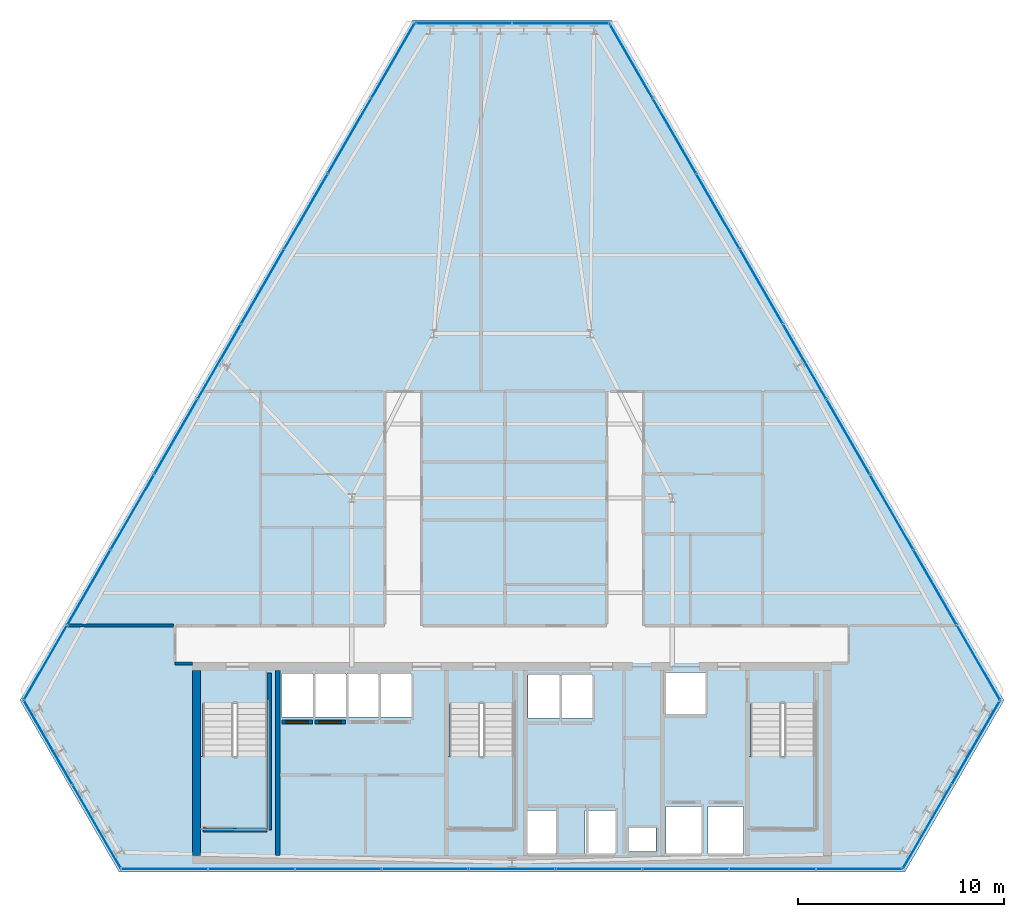
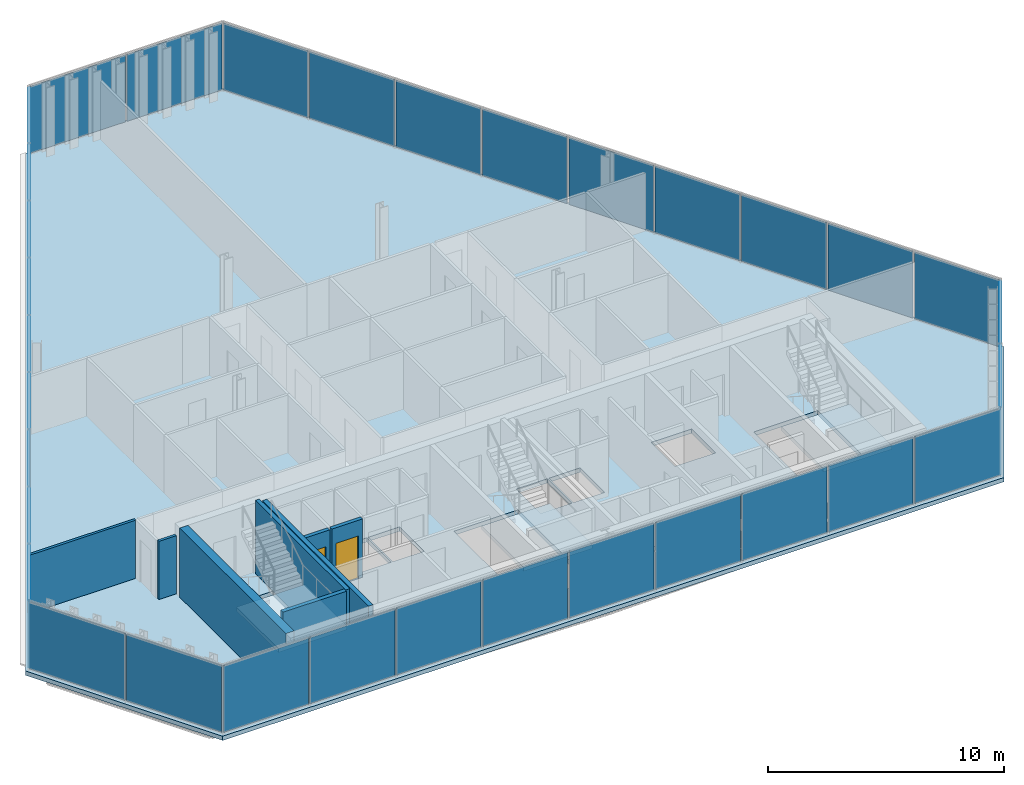
# One storey, part 26 of 33: 33 plates, 8 walls, 4 slabs, 2 doors, 2 openings, 9 elements without a shape of their own.
"""IFC4 building model written with IfcOpenShell, lengths in metres."""

from ifc_helpers import new_model, si_unit, direction, frame, frame_2d, origin, origin_2d, place, context, subcontext, project, spatial, polyline, rectangle, outline, extrude, material, layer, layer_set, type_object, element, fill, aggregate, save


model = new_model("IFC4")

# Units and contexts
model_context = context("Model", 3, precision=1e-05, world=origin(), true_north=direction((0.0, 1.0)))
body_context = subcontext(model_context, "Body", "Model", "MODEL_VIEW")
ifc_project = project(units=[si_unit("LENGTHUNIT", "METRE"), si_unit("AREAUNIT", "SQUARE_METRE"), si_unit("VOLUMEUNIT", "CUBIC_METRE"), si_unit("PLANEANGLEUNIT", "RADIAN"), si_unit("MASSUNIT", "GRAM", prefix="KILO")], contexts=[model_context])

# Site, building, storey
site_placement = place(None, origin())
site = spatial("IfcSite", under=ifc_project, at=site_placement, CompositionType="ELEMENT")
building_placement = place(site_placement, origin())
building = spatial("IfcBuilding", under=site, at=building_placement, Name="Ndaravel Arena Tower", CompositionType="ELEMENT")
storey_placement = place(building_placement, frame((0.0, 0.0, 184.0)))
storey = spatial("IfcBuildingStorey", under=building, at=storey_placement, Name="L44", CompositionType="ELEMENT", Elevation=184.0)

# Curtain wall, plate
ifc_material_1 = material(Name="Aluminium", Category="aluminium")
ifc_layer_1 = layer(ifc_material_1, 0.179931640625)
ifc_layer_set_1 = layer_set([ifc_layer_1], Name="Aluminium")
curtain_wall_type_1 = type_object("IfcCurtainWallType", Name="CW-SYS-01", PredefinedType="NOTDEFINED", material=ifc_layer_set_1)
curtain_wall_1_placement = place(storey_placement, origin())
curtain_wall_1 = element("IfcCurtainWall", 1, at=curtain_wall_1_placement, inside=storey, type_object=curtain_wall_type_1, Name="L44 Faceted Crystal Curtain Wall CW-L44-E02", PredefinedType="NOTDEFINED")
ifc_material_2 = material(Name="Glazing", Category="glass")
ifc_layer_2 = layer(ifc_material_2, 0.035888671875)
ifc_layer_set_2 = layer_set([ifc_layer_2], Name="Glazing")
plate_type_1 = type_object("IfcPlateType", Name="PLT-CW-OPVENT", PredefinedType="CURTAIN_PANEL", material=ifc_layer_set_2)
plate_1_placement = place(storey_placement, frame((64.564208984375, 11.3095703125, 0.06005859375), z_axis=(0.0, 0.0, 1.0), x_axis=(0.5, 0.866025403784, 0.0)))
plate_1 = element("IfcPlate", 2, at=plate_1_placement, type_object=plate_type_1, Name="CW-L44-E02 Operable Vent Sash Panel 02", PredefinedType="CURTAIN_PANEL", context=body_context, shape_type="SweptSolid", body=[
    extrude(rectangle(XDim=4.65380859375, YDim=0.035888671875, at=origin_2d()), origin(), (0.0, 0.0, 1.0), 3.4599609375),
])

curtain_wall_2_placement = place(storey_placement, origin())
curtain_wall_2 = element("IfcCurtainWall", 3, at=curtain_wall_2_placement, inside=storey, type_object=curtain_wall_type_1, Name="L44 Faceted Crystal Curtain Wall CW-L44-E04", PredefinedType="NOTDEFINED")
plate_2_placement = place(storey_placement, frame((39.633056640625, 46.29248046875, 0.06005859375), z_axis=(0.0, 0.0, 1.0), x_axis=(-1.0, 0.0, 0.0)))
plate_2 = element("IfcPlate", 4, at=plate_2_placement, type_object=plate_type_1, Name="CW-L44-E04 Operable Vent Sash Panel 02", PredefinedType="CURTAIN_PANEL", context=body_context, shape_type="SweptSolid", body=[
    extrude(rectangle(XDim=4.65380859375, YDim=0.035888671875, at=origin_2d()), origin(), (0.0, 0.0, 1.0), 3.4599609375),
])

ifc_material_3 = material(Name="Aluminium", Category="aluminium")
ifc_layer_3 = layer(ifc_material_3, 0.179931640625)
ifc_layer_set_3 = layer_set([ifc_layer_3], Name="Aluminium")
curtain_wall_type_2 = type_object("IfcCurtainWallType", Name="CW-SYS-02", PredefinedType="NOTDEFINED", material=ifc_layer_set_3)
curtain_wall_3_placement = place(storey_placement, origin())
curtain_wall_3 = element("IfcCurtainWall", 5, at=curtain_wall_3_placement, inside=storey, type_object=curtain_wall_type_2, Name="L44 Faceted Crystal Curtain Wall CW-L44-E06", PredefinedType="NOTDEFINED")
plate_3_placement = place(storey_placement, frame((21.802490234375, 7.2099609375, 0.06005859375), z_axis=(0.0, 0.0, 1.0), x_axis=(0.5, -0.866025403784, 0.0)))
plate_3 = element("IfcPlate", 6, at=plate_3_placement, type_object=plate_type_1, Name="CW-L44-E06 Operable Vent Sash Panel 02", PredefinedType="CURTAIN_PANEL", context=body_context, shape_type="SweptSolid", body=[
    extrude(rectangle(XDim=4.65380859375, YDim=0.035888671875, at=origin_2d()), origin(), (0.0, 0.0, 1.0), 3.4599609375),
])

# Plate
ifc_material_4 = material(Name="Glazing", Category="glass")
ifc_layer_4 = layer(ifc_material_4, 0.031982421875)
ifc_layer_set_4 = layer_set([ifc_layer_4], Name="Glazing")
plate_type_2 = type_object("IfcPlateType", Name="PLT-GLZ-FRIT35", PredefinedType="CURTAIN_PANEL", material=ifc_layer_set_4)
plate_4_placement = place(storey_placement, frame((62.197509765625, 7.2099609375, 0.06005859375), z_axis=(0.0, 0.0, 1.0), x_axis=(0.5, 0.866025403784, 0.0)))
plate_4 = element("IfcPlate", 7, at=plate_4_placement, type_object=plate_type_2, Name="CW-L44-E02 Vision Glass Panel 01", PredefinedType="CURTAIN_PANEL", context=body_context, shape_type="SweptSolid", body=[
    extrude(rectangle(XDim=4.65380859375, YDim=0.035888671875, at=origin_2d()), origin(), (0.0, 0.0, 1.0), 3.4599609375),
])

aggregate(curtain_wall_1, [plate_4, plate_1])

plate_5_placement = place(storey_placement, frame((44.366943359375, 46.29248046875, 0.06005859375), z_axis=(0.0, 0.0, 1.0), x_axis=(-1.0, 0.0, 0.0)))
plate_5 = element("IfcPlate", 8, at=plate_5_placement, type_object=plate_type_2, Name="CW-L44-E04 Vision Glass Panel 01", PredefinedType="CURTAIN_PANEL", context=body_context, shape_type="SweptSolid", body=[
    extrude(rectangle(XDim=4.65380859375, YDim=0.035888671875, at=origin_2d()), origin(), (0.0, 0.0, 1.0), 3.4599609375),
])

aggregate(curtain_wall_2, [plate_5, plate_2])

ifc_material_5 = material(Name="Glazing", Category="glass")
ifc_layer_5 = layer(ifc_material_5, 0.035888671875)
ifc_layer_set_5 = layer_set([ifc_layer_5], Name="Glazing")
plate_type_3 = type_object("IfcPlateType", Name="PLT-GLZ-FRIT55", PredefinedType="CURTAIN_PANEL", material=ifc_layer_set_5)
plate_6_placement = place(storey_placement, frame((19.435791015625, 11.3095703125, 0.06005859375), z_axis=(0.0, 0.0, 1.0), x_axis=(0.5, -0.866025403784, 0.0)))
plate_6 = element("IfcPlate", 9, at=plate_6_placement, type_object=plate_type_3, Name="CW-L44-E06 Vision Glass Panel 01", PredefinedType="CURTAIN_PANEL", context=body_context, shape_type="SweptSolid", body=[
    extrude(rectangle(XDim=4.65380859375, YDim=0.035888671875, at=origin_2d()), origin(), (0.0, 0.0, 1.0), 3.4599609375),
])

aggregate(curtain_wall_3, [plate_6, plate_3])

# Curtain wall, plates
ifc_material_6 = material(Name="Aluminium", Category="aluminium")
ifc_layer_6 = layer(ifc_material_6, 0.179931640625)
ifc_layer_set_6 = layer_set([ifc_layer_6], Name="Aluminium")
curtain_wall_type_3 = type_object("IfcCurtainWallType", Name="CW-SYS-03", PredefinedType="NOTDEFINED", material=ifc_layer_set_6)
curtain_wall_4_placement = place(storey_placement, origin())
curtain_wall_4 = element("IfcCurtainWall", 10, at=curtain_wall_4_placement, inside=storey, type_object=curtain_wall_type_3, Name="L44 Faceted Crystal Curtain Wall CW-L44-E01", PredefinedType="NOTDEFINED")
ifc_material_7 = material(Name="Glazing", Category="glass")
ifc_layer_7 = layer(ifc_material_7, 0.0400390625)
ifc_layer_set_7 = layer_set([ifc_layer_7], Name="Glazing")
plate_type_4 = type_object("IfcPlateType", Name="PLT-GLZ-LOWIRON", PredefinedType="CURTAIN_PANEL", material=ifc_layer_set_7)
plate_7_placement = place(storey_placement, frame((25.098876953125, 5.159912109375, 0.06005859375), z_axis=(0.0, 0.0, 1.0), x_axis=(1.0, 0.0, 0.0)))
plate_7 = element("IfcPlate", 11, at=plate_7_placement, type_object=plate_type_4, Name="CW-L44-E01 Vision Glass Panel 01", PredefinedType="CURTAIN_PANEL", context=body_context, shape_type="SweptSolid", body=[
    extrude(rectangle(XDim=4.145263671875, YDim=0.035888671875, at=origin_2d()), origin(), (0.0, 0.0, 1.0), 3.4599609375),
])
plate_8_placement = place(storey_placement, frame((29.32421875, 5.159912109375, 0.06005859375), z_axis=(0.0, 0.0, 1.0), x_axis=(1.0, 0.0, 0.0)))
plate_8 = element("IfcPlate", 12, at=plate_8_placement, type_object=plate_type_4, Name="CW-L44-E01 Vision Glass Panel 02", PredefinedType="CURTAIN_PANEL", context=body_context, shape_type="SweptSolid", body=[
    extrude(rectangle(XDim=4.145263671875, YDim=0.035888671875, at=origin_2d()), origin(), (0.0, 0.0, 1.0), 3.4599609375),
])
plate_9_placement = place(storey_placement, frame((33.54931640625, 5.159912109375, 0.06005859375), z_axis=(0.0, 0.0, 1.0), x_axis=(1.0, 0.0, 0.0)))
plate_9 = element("IfcPlate", 13, at=plate_9_placement, type_object=plate_type_4, Name="CW-L44-E01 Vision Glass Panel 03", PredefinedType="CURTAIN_PANEL", context=body_context, shape_type="SweptSolid", body=[
    extrude(rectangle(XDim=4.145263671875, YDim=0.035888671875, at=origin_2d()), origin(), (0.0, 0.0, 1.0), 3.4599609375),
])
plate_10_placement = place(storey_placement, frame((37.774658203125, 5.159912109375, 0.06005859375), z_axis=(0.0, 0.0, 1.0), x_axis=(1.0, 0.0, 0.0)))
plate_10 = element("IfcPlate", 14, at=plate_10_placement, type_object=plate_type_4, Name="CW-L44-E01 Vision Glass Panel 04", PredefinedType="CURTAIN_PANEL", context=body_context, shape_type="SweptSolid", body=[
    extrude(rectangle(XDim=4.145263671875, YDim=0.035888671875, at=origin_2d()), origin(), (0.0, 0.0, 1.0), 3.4599609375),
])
plate_11_placement = place(storey_placement, frame((42.0, 5.159912109375, 0.06005859375), z_axis=(0.0, 0.0, 1.0), x_axis=(1.0, 0.0, 0.0)))
plate_11 = element("IfcPlate", 15, at=plate_11_placement, type_object=plate_type_4, Name="CW-L44-E01 Vision Glass Panel 05", PredefinedType="CURTAIN_PANEL", context=body_context, shape_type="SweptSolid", body=[
    extrude(rectangle(XDim=4.145263671875, YDim=0.035888671875, at=origin_2d()), origin(), (0.0, 0.0, 1.0), 3.4599609375),
])
plate_12_placement = place(storey_placement, frame((46.225341796875, 5.159912109375, 0.06005859375), z_axis=(0.0, 0.0, 1.0), x_axis=(1.0, 0.0, 0.0)))
plate_12 = element("IfcPlate", 16, at=plate_12_placement, type_object=plate_type_4, Name="CW-L44-E01 Vision Glass Panel 06", PredefinedType="CURTAIN_PANEL", context=body_context, shape_type="SweptSolid", body=[
    extrude(rectangle(XDim=4.145263671875, YDim=0.035888671875, at=origin_2d()), origin(), (0.0, 0.0, 1.0), 3.4599609375),
])
plate_13_placement = place(storey_placement, frame((50.45068359375, 5.159912109375, 0.06005859375), z_axis=(0.0, 0.0, 1.0), x_axis=(1.0, 0.0, 0.0)))
plate_13 = element("IfcPlate", 17, at=plate_13_placement, type_object=plate_type_4, Name="CW-L44-E01 Vision Glass Panel 07", PredefinedType="CURTAIN_PANEL", context=body_context, shape_type="SweptSolid", body=[
    extrude(rectangle(XDim=4.145263671875, YDim=0.035888671875, at=origin_2d()), origin(), (0.0, 0.0, 1.0), 3.4599609375),
])
plate_14_placement = place(storey_placement, frame((54.67578125, 5.159912109375, 0.06005859375), z_axis=(0.0, 0.0, 1.0), x_axis=(1.0, 0.0, 0.0)))
plate_14 = element("IfcPlate", 18, at=plate_14_placement, type_object=plate_type_4, Name="CW-L44-E01 Vision Glass Panel 08", PredefinedType="CURTAIN_PANEL", context=body_context, shape_type="SweptSolid", body=[
    extrude(rectangle(XDim=4.145263671875, YDim=0.035888671875, at=origin_2d()), origin(), (0.0, 0.0, 1.0), 3.4599609375),
])
plate_15_placement = place(storey_placement, frame((58.901123046875, 5.159912109375, 0.06005859375), z_axis=(0.0, 0.0, 1.0), x_axis=(1.0, 0.0, 0.0)))
plate_15 = element("IfcPlate", 19, at=plate_15_placement, type_object=plate_type_4, Name="CW-L44-E01 Vision Glass Panel 09", PredefinedType="CURTAIN_PANEL", context=body_context, shape_type="SweptSolid", body=[
    extrude(rectangle(XDim=4.145263671875, YDim=0.035888671875, at=origin_2d()), origin(), (0.0, 0.0, 1.0), 3.4599609375),
])
aggregate(curtain_wall_4, [plate_7, plate_8, plate_9, plate_10, plate_11, plate_12, plate_13, plate_14, plate_15])

curtain_wall_5_placement = place(storey_placement, origin())
curtain_wall_5 = element("IfcCurtainWall", 20, at=curtain_wall_5_placement, inside=storey, type_object=curtain_wall_type_3, Name="L44 Faceted Crystal Curtain Wall CW-L44-E03", PredefinedType="NOTDEFINED")
plate_16_placement = place(storey_placement, frame((64.69140625, 15.18896484375, 0.06005859375), z_axis=(0.0, 0.0, 1.0), x_axis=(-0.5, 0.866025403784, 0.0)))
plate_16 = element("IfcPlate", 21, at=plate_16_placement, type_object=plate_type_4, Name="CW-L44-E03 Vision Glass Panel 01", PredefinedType="CURTAIN_PANEL", context=body_context, shape_type="SweptSolid", body=[
    extrude(rectangle(XDim=4.145263671875, YDim=0.035888671875, at=origin_2d()), origin(), (0.0, 0.0, 1.0), 3.4599609375),
])
plate_17_placement = place(storey_placement, frame((62.578857421875, 18.848388671875, 0.06005859375), z_axis=(0.0, 0.0, 1.0), x_axis=(-0.5, 0.866025403784, 0.0)))
plate_17 = element("IfcPlate", 22, at=plate_17_placement, type_object=plate_type_4, Name="CW-L44-E03 Vision Glass Panel 02", PredefinedType="CURTAIN_PANEL", context=body_context, shape_type="SweptSolid", body=[
    extrude(rectangle(XDim=4.145263671875, YDim=0.035888671875, at=origin_2d()), origin(), (0.0, 0.0, 1.0), 3.4599609375),
])
plate_18_placement = place(storey_placement, frame((60.46630859375, 22.507568359375, 0.06005859375), z_axis=(0.0, 0.0, 1.0), x_axis=(-0.5, 0.866025403784, 0.0)))
plate_18 = element("IfcPlate", 23, at=plate_18_placement, type_object=plate_type_4, Name="CW-L44-E03 Vision Glass Panel 03", PredefinedType="CURTAIN_PANEL", context=body_context, shape_type="SweptSolid", body=[
    extrude(rectangle(XDim=4.145263671875, YDim=0.035888671875, at=origin_2d()), origin(), (0.0, 0.0, 1.0), 3.4599609375),
])
plate_19_placement = place(storey_placement, frame((58.353515625, 26.166748046875, 0.06005859375), z_axis=(0.0, 0.0, 1.0), x_axis=(-0.5, 0.866025403784, 0.0)))
plate_19 = element("IfcPlate", 24, at=plate_19_placement, type_object=plate_type_4, Name="CW-L44-E03 Vision Glass Panel 04", PredefinedType="CURTAIN_PANEL", context=body_context, shape_type="SweptSolid", body=[
    extrude(rectangle(XDim=4.145263671875, YDim=0.035888671875, at=origin_2d()), origin(), (0.0, 0.0, 1.0), 3.4599609375),
])
plate_20_placement = place(storey_placement, frame((56.24072265625, 29.825927734375, 0.06005859375), z_axis=(0.0, 0.0, 1.0), x_axis=(-0.5, 0.866025403784, 0.0)))
plate_20 = element("IfcPlate", 25, at=plate_20_placement, type_object=plate_type_4, Name="CW-L44-E03 Vision Glass Panel 05", PredefinedType="CURTAIN_PANEL", context=body_context, shape_type="SweptSolid", body=[
    extrude(rectangle(XDim=4.145263671875, YDim=0.035888671875, at=origin_2d()), origin(), (0.0, 0.0, 1.0), 3.4599609375),
])
plate_21_placement = place(storey_placement, frame((54.128173828125, 33.485107421875, 0.06005859375), z_axis=(0.0, 0.0, 1.0), x_axis=(-0.5, 0.866025403784, 0.0)))
plate_21 = element("IfcPlate", 26, at=plate_21_placement, type_object=plate_type_4, Name="CW-L44-E03 Vision Glass Panel 06", PredefinedType="CURTAIN_PANEL", context=body_context, shape_type="SweptSolid", body=[
    extrude(rectangle(XDim=4.145263671875, YDim=0.035888671875, at=origin_2d()), origin(), (0.0, 0.0, 1.0), 3.4599609375),
])
plate_22_placement = place(storey_placement, frame((52.015380859375, 37.14453125, 0.06005859375), z_axis=(0.0, 0.0, 1.0), x_axis=(-0.5, 0.866025403784, 0.0)))
plate_22 = element("IfcPlate", 27, at=plate_22_placement, type_object=plate_type_4, Name="CW-L44-E03 Vision Glass Panel 07", PredefinedType="CURTAIN_PANEL", context=body_context, shape_type="SweptSolid", body=[
    extrude(rectangle(XDim=4.145263671875, YDim=0.035888671875, at=origin_2d()), origin(), (0.0, 0.0, 1.0), 3.4599609375),
])
plate_23_placement = place(storey_placement, frame((49.90283203125, 40.8037109375, 0.06005859375), z_axis=(0.0, 0.0, 1.0), x_axis=(-0.5, 0.866025403784, 0.0)))
plate_23 = element("IfcPlate", 28, at=plate_23_placement, type_object=plate_type_4, Name="CW-L44-E03 Vision Glass Panel 08", PredefinedType="CURTAIN_PANEL", context=body_context, shape_type="SweptSolid", body=[
    extrude(rectangle(XDim=4.145263671875, YDim=0.035888671875, at=origin_2d()), origin(), (0.0, 0.0, 1.0), 3.4599609375),
])
plate_24_placement = place(storey_placement, frame((47.790283203125, 44.462890625, 0.06005859375), z_axis=(0.0, 0.0, 1.0), x_axis=(-0.5, 0.866025403784, 0.0)))
plate_24 = element("IfcPlate", 29, at=plate_24_placement, type_object=plate_type_4, Name="CW-L44-E03 Vision Glass Panel 09", PredefinedType="CURTAIN_PANEL", context=body_context, shape_type="SweptSolid", body=[
    extrude(rectangle(XDim=4.145263671875, YDim=0.035888671875, at=origin_2d()), origin(), (0.0, 0.0, 1.0), 3.4599609375),
])
aggregate(curtain_wall_5, [plate_16, plate_17, plate_18, plate_19, plate_20, plate_21, plate_22, plate_23, plate_24])

curtain_wall_6_placement = place(storey_placement, origin())
curtain_wall_6 = element("IfcCurtainWall", 30, at=curtain_wall_6_placement, inside=storey, type_object=curtain_wall_type_3, Name="L44 Faceted Crystal Curtain Wall CW-L44-E05", PredefinedType="NOTDEFINED")
plate_25_placement = place(storey_placement, frame((36.209716796875, 44.462890625, 0.06005859375), z_axis=(0.0, 0.0, 1.0), x_axis=(-0.5, -0.866025403784, 0.0)))
plate_25 = element("IfcPlate", 31, at=plate_25_placement, type_object=plate_type_4, Name="CW-L44-E05 Vision Glass Panel 01", PredefinedType="CURTAIN_PANEL", context=body_context, shape_type="SweptSolid", body=[
    extrude(rectangle(XDim=4.145263671875, YDim=0.035888671875, at=origin_2d()), origin(), (0.0, 0.0, 1.0), 3.4599609375),
])
plate_26_placement = place(storey_placement, frame((34.09716796875, 40.8037109375, 0.06005859375), z_axis=(0.0, 0.0, 1.0), x_axis=(-0.5, -0.866025403784, 0.0)))
plate_26 = element("IfcPlate", 32, at=plate_26_placement, type_object=plate_type_4, Name="CW-L44-E05 Vision Glass Panel 02", PredefinedType="CURTAIN_PANEL", context=body_context, shape_type="SweptSolid", body=[
    extrude(rectangle(XDim=4.145263671875, YDim=0.035888671875, at=origin_2d()), origin(), (0.0, 0.0, 1.0), 3.4599609375),
])
plate_27_placement = place(storey_placement, frame((31.984619140625, 37.14453125, 0.06005859375), z_axis=(0.0, 0.0, 1.0), x_axis=(-0.5, -0.866025403784, 0.0)))
plate_27 = element("IfcPlate", 33, at=plate_27_placement, type_object=plate_type_4, Name="CW-L44-E05 Vision Glass Panel 03", PredefinedType="CURTAIN_PANEL", context=body_context, shape_type="SweptSolid", body=[
    extrude(rectangle(XDim=4.145263671875, YDim=0.035888671875, at=origin_2d()), origin(), (0.0, 0.0, 1.0), 3.4599609375),
])
plate_28_placement = place(storey_placement, frame((29.871826171875, 33.485107421875, 0.06005859375), z_axis=(0.0, 0.0, 1.0), x_axis=(-0.5, -0.866025403784, 0.0)))
plate_28 = element("IfcPlate", 34, at=plate_28_placement, type_object=plate_type_4, Name="CW-L44-E05 Vision Glass Panel 04", PredefinedType="CURTAIN_PANEL", context=body_context, shape_type="SweptSolid", body=[
    extrude(rectangle(XDim=4.145263671875, YDim=0.035888671875, at=origin_2d()), origin(), (0.0, 0.0, 1.0), 3.4599609375),
])
plate_29_placement = place(storey_placement, frame((27.759033203125, 29.825927734375, 0.06005859375), z_axis=(0.0, 0.0, 1.0), x_axis=(-0.5, -0.866025403784, 0.0)))
plate_29 = element("IfcPlate", 35, at=plate_29_placement, type_object=plate_type_4, Name="CW-L44-E05 Vision Glass Panel 05", PredefinedType="CURTAIN_PANEL", context=body_context, shape_type="SweptSolid", body=[
    extrude(rectangle(XDim=4.145263671875, YDim=0.035888671875, at=origin_2d()), origin(), (0.0, 0.0, 1.0), 3.4599609375),
])
plate_30_placement = place(storey_placement, frame((25.646484375, 26.166748046875, 0.06005859375), z_axis=(0.0, 0.0, 1.0), x_axis=(-0.5, -0.866025403784, 0.0)))
plate_30 = element("IfcPlate", 36, at=plate_30_placement, type_object=plate_type_4, Name="CW-L44-E05 Vision Glass Panel 06", PredefinedType="CURTAIN_PANEL", context=body_context, shape_type="SweptSolid", body=[
    extrude(rectangle(XDim=4.145263671875, YDim=0.035888671875, at=origin_2d()), origin(), (0.0, 0.0, 1.0), 3.4599609375),
])
plate_31_placement = place(storey_placement, frame((23.53369140625, 22.507568359375, 0.06005859375), z_axis=(0.0, 0.0, 1.0), x_axis=(-0.5, -0.866025403784, 0.0)))
plate_31 = element("IfcPlate", 37, at=plate_31_placement, type_object=plate_type_4, Name="CW-L44-E05 Vision Glass Panel 07", PredefinedType="CURTAIN_PANEL", context=body_context, shape_type="SweptSolid", body=[
    extrude(rectangle(XDim=4.145263671875, YDim=0.035888671875, at=origin_2d()), origin(), (0.0, 0.0, 1.0), 3.4599609375),
])
plate_32_placement = place(storey_placement, frame((21.421142578125, 18.848388671875, 0.06005859375), z_axis=(0.0, 0.0, 1.0), x_axis=(-0.5, -0.866025403784, 0.0)))
plate_32 = element("IfcPlate", 38, at=plate_32_placement, type_object=plate_type_4, Name="CW-L44-E05 Vision Glass Panel 08", PredefinedType="CURTAIN_PANEL", context=body_context, shape_type="SweptSolid", body=[
    extrude(rectangle(XDim=4.145263671875, YDim=0.035888671875, at=origin_2d()), origin(), (0.0, 0.0, 1.0), 3.4599609375),
])
plate_33_placement = place(storey_placement, frame((19.30859375, 15.18896484375, 0.06005859375), z_axis=(0.0, 0.0, 1.0), x_axis=(-0.5, -0.866025403784, 0.0)))
plate_33 = element("IfcPlate", 39, at=plate_33_placement, type_object=plate_type_4, Name="CW-L44-E05 Vision Glass Panel 09", PredefinedType="CURTAIN_PANEL", context=body_context, shape_type="SweptSolid", body=[
    extrude(rectangle(XDim=4.145263671875, YDim=0.035888671875, at=origin_2d()), origin(), (0.0, 0.0, 1.0), 3.4599609375),
])
aggregate(curtain_wall_6, [plate_25, plate_26, plate_27, plate_28, plate_29, plate_30, plate_31, plate_32, plate_33])

# Stair, slab
ifc_material_8 = material(Name="Concrete C40/50", Category="concrete")
stair_type = type_object("IfcStairType", Name="STAIR-CORE-HT", PredefinedType="HALF_TURN_STAIR", material=ifc_material_8)
stair_1_placement = place(storey_placement, origin())
stair_1 = element("IfcStair", 40, at=stair_1_placement, inside=storey, type_object=stair_type, Name="L44 ST-1", PredefinedType="HALF_TURN_STAIR")
ifc_material_9 = material(Name="Concrete C40/50", Category="concrete")
ifc_layer_8 = layer(ifc_material_9, 0.199951171875)
ifc_layer_set_8 = layer_set([ifc_layer_8], Name="Concrete C40/50")
slab_type_1 = type_object("IfcSlabType", Name="SLAB-STAIR-LANDING", PredefinedType="LANDING", material=ifc_layer_set_8)
slab_1_placement = place(storey_placement, frame((0.0, 0.0, 1.699951171875)))
slab_1 = element("IfcSlab", 41, at=slab_1_placement, type_object=slab_type_1, Name="ST-1 landing 1", PredefinedType="LANDING", context=body_context, shape_type="SweptSolid", body=[
    extrude(outline(polyline([(26.81005859375, 10.6298828125), (26.81005859375, 7.070068359375), (30.169921875, 7.070068359375), (30.169921875, 10.6298828125), (26.81005859375, 10.6298828125)])), origin(), (0.0, 0.0, 1.0), 0.199951171875),
])
aggregate(stair_1, [slab_1])

stair_2_placement = place(storey_placement, origin())
stair_2 = element("IfcStair", 42, at=stair_2_placement, inside=storey, type_object=stair_type, Name="L44 ST-2", PredefinedType="HALF_TURN_STAIR")
slab_2_placement = place(storey_placement, frame((0.0, 0.0, 1.699951171875)))
slab_2 = element("IfcSlab", 43, at=slab_2_placement, type_object=slab_type_1, Name="ST-2 landing 1", PredefinedType="LANDING", context=body_context, shape_type="SweptSolid", body=[
    extrude(outline(polyline([(38.81005859375, 10.6298828125), (38.81005859375, 7.070068359375), (42.169921875, 7.070068359375), (42.169921875, 10.6298828125), (38.81005859375, 10.6298828125)])), origin(), (0.0, 0.0, 1.0), 0.199951171875),
])
aggregate(stair_2, [slab_2])

stair_3_placement = place(storey_placement, origin())
stair_3 = element("IfcStair", 44, at=stair_3_placement, inside=storey, type_object=stair_type, Name="L44 ST-3", PredefinedType="HALF_TURN_STAIR")
slab_3_placement = place(storey_placement, frame((0.0, 0.0, 1.699951171875)))
slab_3 = element("IfcSlab", 45, at=slab_3_placement, type_object=slab_type_1, Name="ST-3 landing 1", PredefinedType="LANDING", context=body_context, shape_type="SweptSolid", body=[
    extrude(outline(polyline([(53.4599609375, 10.6298828125), (53.4599609375, 7.070068359375), (56.820068359375, 7.070068359375), (56.820068359375, 10.6298828125), (53.4599609375, 10.6298828125)])), origin(), (0.0, 0.0, 1.0), 0.199951171875),
])
aggregate(stair_3, [slab_3])

# Slab
ifc_material_10 = material(Name="Concrete C40/50", Category="concrete")
ifc_layer_9 = layer(ifc_material_10, 0.219970703125)
ifc_layer_set_9 = layer_set([ifc_layer_9], Name="Concrete C40/50")
slab_type_2 = type_object("IfcSlabType", Name="SLAB-TWR-220", PredefinedType="FLOOR", material=ifc_layer_set_9)
slab_4_placement = place(storey_placement, frame((0.0, 0.0, -0.219970703125)))
element("IfcSlab", 46, at=slab_4_placement, inside=storey, type_object=slab_type_2, Name="L44 Structural Floor Slab", PredefinedType="FLOOR", context=body_context, shape_type="SweptSolid", body=[
    extrude(outline(polyline([(18.0673828125, 13.359375), (22.893798828125, 5.0), (61.106201171875, 5.0), (65.9326171875, 13.359375), (46.826416015625, 46.45263671875), (37.173583984375, 46.45263671875), (18.0673828125, 13.359375)]), holes=[polyline([(26.949951171875, 13.215087890625), (26.949951171875, 7.14990234375), (30.090087890625, 7.14990234375), (30.090087890625, 13.215087890625), (26.949951171875, 13.215087890625)]), polyline([(38.949951171875, 13.215087890625), (38.949951171875, 7.14990234375), (42.090087890625, 7.14990234375), (42.090087890625, 13.215087890625), (38.949951171875, 13.215087890625)]), polyline([(53.60009765625, 13.215087890625), (53.60009765625, 7.14990234375), (56.739990234375, 7.14990234375), (56.739990234375, 13.215087890625), (53.60009765625, 13.215087890625)]), polyline([(30.784912109375, 12.56005859375), (32.31494140625, 12.56005859375), (32.31494140625, 14.639892578125), (30.784912109375, 14.639892578125), (30.784912109375, 12.56005859375)]), polyline([(32.385009765625, 12.56005859375), (33.9150390625, 12.56005859375), (33.9150390625, 14.639892578125), (32.385009765625, 14.639892578125), (32.385009765625, 12.56005859375)]), polyline([(33.985107421875, 12.56005859375), (35.514892578125, 12.56005859375), (35.514892578125, 14.639892578125), (33.985107421875, 14.639892578125), (33.985107421875, 12.56005859375)]), polyline([(35.5849609375, 12.56005859375), (37.114990234375, 12.56005859375), (37.114990234375, 14.639892578125), (35.5849609375, 14.639892578125), (35.5849609375, 12.56005859375)]), polyline([(42.659912109375, 5.909912109375), (44.139892578125, 5.909912109375), (44.139892578125, 7.989990234375), (42.659912109375, 7.989990234375), (42.659912109375, 5.909912109375)]), polyline([(45.56005859375, 5.909912109375), (47.0400390625, 5.909912109375), (47.0400390625, 7.989990234375), (45.56005859375, 7.989990234375), (45.56005859375, 5.909912109375)]), polyline([(42.784912109375, 12.510009765625), (44.31494140625, 12.510009765625), (44.31494140625, 14.590087890625), (42.784912109375, 14.590087890625), (42.784912109375, 12.510009765625)]), polyline([(44.385009765625, 12.510009765625), (45.9150390625, 12.510009765625), (45.9150390625, 14.590087890625), (44.385009765625, 14.590087890625), (44.385009765625, 12.510009765625)]), polyline([(49.485107421875, 5.909912109375), (51.215087890625, 5.909912109375), (51.215087890625, 8.18994140625), (49.485107421875, 8.18994140625), (49.485107421875, 5.909912109375)]), polyline([(51.534912109375, 5.909912109375), (53.264892578125, 5.909912109375), (53.264892578125, 8.18994140625), (51.534912109375, 8.18994140625), (51.534912109375, 5.909912109375)]), polyline([(49.4599609375, 12.68505859375), (51.43994140625, 12.68505859375), (51.43994140625, 14.715087890625), (49.4599609375, 14.715087890625), (49.4599609375, 12.68505859375)]), polyline([(47.699951171875, 6.0), (49.0, 6.0), (49.0, 7.139892578125), (47.699951171875, 7.139892578125), (47.699951171875, 6.0)])]), origin(), (0.0, 0.0, 1.0), 0.219970703125),
])

# Walls
ifc_material_11 = material(Name="Concrete C50/60", Category="concrete")
ifc_layer_10 = layer(ifc_material_11, 0.219970703125)
ifc_layer_set_10 = layer_set([ifc_layer_10], Name="Concrete C50/60")
wall_type_1 = type_object("IfcWallType", Name="WALL-CORE-220", PredefinedType="SOLIDWALL", material=ifc_layer_set_10)
wall_1_placement = place(storey_placement, frame((30.60009765625, 5.800048828125, 0.0), z_axis=(0.0, 0.0, 1.0), x_axis=(0.0, 1.0, 0.0)))
element("IfcWall", 47, at=wall_1_placement, inside=storey, type_object=wall_type_1, Name="L44 Core Web Shear Wall 1", PredefinedType="SOLIDWALL", context=body_context, shape_type="SweptSolid", body=[
    extrude(rectangle(XDim=9.0, YDim=0.219970703125, at=frame_2d((4.5, 0.0))), origin(), (0.0, 0.0, 1.0), 3.580078125),
])
ifc_material_12 = material(Name="Concrete C50/60", Category="concrete")
ifc_layer_11 = layer(ifc_material_12, 0.39990234375)
ifc_layer_set_11 = layer_set([ifc_layer_11], Name="Concrete C50/60")
wall_type_2 = type_object("IfcWallType", Name="WALL-CORE-400", PredefinedType="SOLIDWALL", material=ifc_layer_set_11)
wall_2_placement = place(storey_placement, frame((26.64990234375, 5.800048828125, 0.0), z_axis=(0.0, 0.0, 1.0), x_axis=(0.0, 1.0, 0.0)))
element("IfcWall", 48, at=wall_2_placement, inside=storey, type_object=wall_type_2, Name="L44 Core West Shear Wall", PredefinedType="SOLIDWALL", context=body_context, shape_type="SweptSolid", body=[
    extrude(rectangle(XDim=9.0, YDim=0.39990234375, at=frame_2d((4.5, 0.0))), origin(), (0.0, 0.0, 1.0), 3.580078125),
])
ifc_material_13 = material(Name="Gypsum", Category="gypsum")
ifc_layer_12 = layer(ifc_material_13, 0.125)
ifc_layer_set_12 = layer_set([ifc_layer_12], Name="Gypsum")
wall_type_3 = type_object("IfcWallType", Name="WALL-PART-125", PredefinedType="PARTITIONING", material=ifc_layer_set_12)
wall_3_placement = place(storey_placement, frame((26.449951171875, 15.14990234375, 0.0), z_axis=(0.0, 0.0, 1.0), x_axis=(-1.0, 0.0, 0.0)))
element("IfcWall", 49, at=wall_3_placement, inside=storey, type_object=wall_type_3, Name="L44 Interior Partition 003", PredefinedType="PARTITIONING", context=body_context, shape_type="SweptSolid", body=[
    extrude(rectangle(XDim=0.849853515625, YDim=0.125, at=frame_2d((0.4248046875, 0.0))), origin(), (0.0, 0.0, 1.0), 3.010498046875),
])
wall_4_placement = place(storey_placement, frame((20.35400390625, 17.0, 0.0), z_axis=(0.0, 0.0, 1.0), x_axis=(1.0, 0.0, 0.0)))
element("IfcWall", 50, at=wall_4_placement, inside=storey, type_object=wall_type_3, Name="L44 Interior Partition 029", PredefinedType="PARTITIONING", context=body_context, shape_type="SweptSolid", body=[
    extrude(rectangle(XDim=5.180908203125, YDim=0.125, at=frame_2d((2.59033203125, 0.0))), origin(), (0.0, 0.0, 1.0), 3.010498046875),
])
ifc_material_14 = material(Name="Concrete C40/50", Category="concrete")
ifc_layer_13 = layer(ifc_material_14, 0.199951171875)
ifc_layer_set_13 = layer_set([ifc_layer_13], Name="Concrete C40/50")
wall_type_4 = type_object("IfcWallType", Name="WALL-SHAFT-200", PredefinedType="SOLIDWALL", material=ifc_layer_set_13)
wall_5_placement = place(storey_placement, frame((30.18994140625, 14.699951171875, 0.0), z_axis=(0.0, 0.0, 1.0), x_axis=(0.0, -1.0, 0.0)))
element("IfcWall", 51, at=wall_5_placement, inside=storey, type_object=wall_type_4, Name="L44 ST-1 Structural Shaft Wall Right", PredefinedType="SOLIDWALL", context=body_context, shape_type="SweptSolid", body=[
    extrude(rectangle(XDim=7.64990234375, YDim=0.199951171875, at=frame_2d((3.824951171875, 0.0))), origin(), (0.0, 0.0, 1.0), 3.800048828125),
])
wall_6_placement = place(storey_placement, frame((26.969970703125, 7.050048828125, 0.0), z_axis=(0.0, 0.0, 1.0), x_axis=(1.0, 0.0, 0.0)))
element("IfcWall", 52, at=wall_6_placement, inside=storey, type_object=wall_type_4, Name="L44 ST-1 Structural Shaft Wall Far", PredefinedType="SOLIDWALL", context=body_context, shape_type="SweptSolid", body=[
    extrude(rectangle(XDim=3.114990234375, YDim=0.199951171875, at=frame_2d((1.5576171875, 0.0))), origin(), (0.0, 0.0, 1.0), 3.800048828125),
])

# Wall, opening, door
wall_7_placement = place(storey_placement, frame((30.804931640625, 12.300048828125, 0.0), z_axis=(0.0, 0.0, 1.0), x_axis=(1.0, 0.0, 0.0)))
wall_7 = element("IfcWall", 53, at=wall_7_placement, inside=storey, type_object=wall_type_4, Name="L44 PL-M1 Shaft Landing Wall", PredefinedType="SOLIDWALL", context=body_context, shape_type="SweptSolid", body=[
    extrude(rectangle(XDim=1.489990234375, YDim=0.179931640625, at=frame_2d((0.7451171875, 0.0))), origin(), (0.0, 0.0, 1.0), 3.010498046875),
])
opening_1_placement = place(wall_7_placement, frame((0.195068359375, 0.0, 0.0)))
opening_1 = element("IfcOpeningElement", 54, at=opening_1_placement, cuts=wall_7, Name="Opening LD-01", PredefinedType="OPENING", context=body_context, shape_type="SweptSolid", body=[
    extrude(rectangle(XDim=1.10009765625, YDim=2.199951171875, at=frame_2d((0.550048828125, 1.10009765625))), frame((0.0, 0.08984375, 0.0), z_axis=(0.0, -1.0, 0.0), x_axis=(1.0, 0.0, 0.0)), (0.0, 0.0, 1.0), 0.179931640625),
])
ifc_material_15 = material(Name="Steel S355", Category="steel")
door_type = type_object("IfcDoorType", Name="DT-06-LIFT-1100", OperationType="SLIDING_TO_LEFT", PredefinedType="DOOR", material=ifc_material_15)
door_1_placement = place(opening_1_placement, origin())
door_1 = element("IfcDoor", 55, at=door_1_placement, inside=storey, type_object=door_type, Name="L44 Lift PL-M1 Sliding Landing Door", OperationType="SLIDING_TO_LEFT", OverallHeight=2.199951171875, OverallWidth=1.10009765625, PredefinedType="DOOR", context=body_context, shape_type="SweptSolid", body=[
    extrude(rectangle(XDim=1.10009765625, YDim=2.199951171875, at=frame_2d((0.550048828125, 1.10009765625))), frame((0.0, 0.02490234375, 0.0), z_axis=(0.0, -1.0, 0.0), x_axis=(1.0, 0.0, 0.0)), (0.0, 0.0, 1.0), 0.050048828125),
])
fill(opening_1, door_1)

wall_8_placement = place(storey_placement, frame((32.405029296875, 12.300048828125, 0.0), z_axis=(0.0, 0.0, 1.0), x_axis=(1.0, 0.0, 0.0)))
wall_8 = element("IfcWall", 56, at=wall_8_placement, inside=storey, type_object=wall_type_4, Name="L44 PL-M2 Shaft Landing Wall", PredefinedType="SOLIDWALL", context=body_context, shape_type="SweptSolid", body=[
    extrude(rectangle(XDim=1.489990234375, YDim=0.179931640625, at=frame_2d((0.7451171875, 0.0))), origin(), (0.0, 0.0, 1.0), 3.010498046875),
])
opening_2_placement = place(wall_8_placement, frame((0.195068359375, 0.0, 0.0)))
opening_2 = element("IfcOpeningElement", 57, at=opening_2_placement, cuts=wall_8, Name="Opening LD-01", PredefinedType="OPENING", context=body_context, shape_type="SweptSolid", body=[
    extrude(rectangle(XDim=1.10009765625, YDim=2.199951171875, at=frame_2d((0.550048828125, 1.10009765625))), frame((0.0, 0.08984375, 0.0), z_axis=(0.0, -1.0, 0.0), x_axis=(1.0, 0.0, 0.0)), (0.0, 0.0, 1.0), 0.179931640625),
])
door_2_placement = place(opening_2_placement, origin())
door_2 = element("IfcDoor", 58, at=door_2_placement, inside=storey, type_object=door_type, Name="L44 Lift PL-M2 Sliding Landing Door", OperationType="SLIDING_TO_LEFT", OverallHeight=2.199951171875, OverallWidth=1.10009765625, PredefinedType="DOOR", context=body_context, shape_type="SweptSolid", body=[
    extrude(rectangle(XDim=1.10009765625, YDim=2.199951171875, at=frame_2d((0.550048828125, 1.10009765625))), frame((0.0, 0.02490234375, 0.0), z_axis=(0.0, -1.0, 0.0), x_axis=(1.0, 0.0, 0.0)), (0.0, 0.0, 1.0), 0.050048828125),
])
fill(opening_2, door_2)

save(model, "model.ifc")
